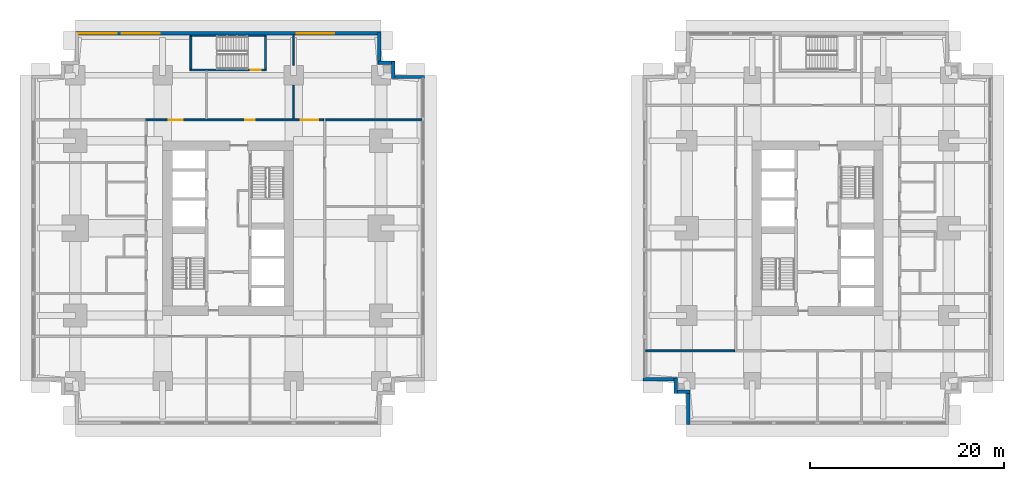
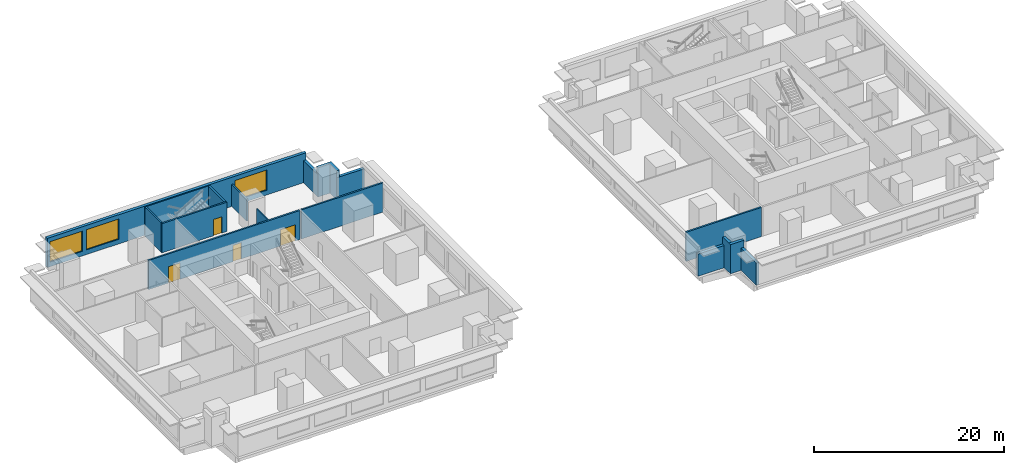
# One storey, part 5 of 11: 18 walls, 4 doors, 3 windows, 7 openings.
"""IFC4 building model written with IfcOpenShell, lengths in metres."""

from ifc_helpers import new_model, si_unit, direction, frame, frame_2d, origin, place, context, subcontext, project, spatial, rectangle, extrude, material, layer, layer_set, type_object, element, fill, save


model = new_model("IFC4")

# Units and contexts
model_context = context("Model", 3, precision=1e-05, world=origin(), true_north=direction((0.0, 1.0)))
body_context = subcontext(model_context, "Body", "Model", "MODEL_VIEW")
ifc_project = project(units=[si_unit("LENGTHUNIT", "METRE"), si_unit("AREAUNIT", "SQUARE_METRE"), si_unit("VOLUMEUNIT", "CUBIC_METRE"), si_unit("PLANEANGLEUNIT", "RADIAN"), si_unit("MASSUNIT", "GRAM", prefix="KILO")], contexts=[model_context])

# Site, building, storey
site_placement = place(None, origin())
site = spatial("IfcSite", under=ifc_project, at=site_placement, CompositionType="ELEMENT")
building_placement = place(site_placement, origin())
building = spatial("IfcBuilding", under=site, at=building_placement, Name="Namib Vertical Campus", CompositionType="ELEMENT")
storey_placement = place(building_placement, frame((0.0, 0.0, 69.0)))
storey = spatial("IfcBuildingStorey", under=building, at=storey_placement, Name="L16", CompositionType="ELEMENT", Elevation=69.0)

# Wall, openings, doors
ifc_material_1 = material(Name="Concrete masonry", Category="masonry")
ifc_layer_1 = layer(ifc_material_1, 0.199951171875)
ifc_layer_set_1 = layer_set([ifc_layer_1], Name="Corridor wall 200")
wall_type_1 = type_object("IfcWallType", Name="Corridor wall 200", PredefinedType="SOLIDWALL", material=ifc_layer_set_1)
wall_1_placement = place(storey_placement, frame((30.10009765625, 31.39990234375, 0.0), z_axis=(0.0, 0.0, 1.0), x_axis=(-1.0, 0.0, 0.0)))
wall_1 = element("IfcWall", 1, at=wall_1_placement, inside=storey, type_object=wall_type_1, Name="Corridor wall A L16 CN", PredefinedType="SOLIDWALL", context=body_context, shape_type="SweptSolid", body=[
    extrude(rectangle(XDim=18.400146484375, YDim=0.199951171875, at=frame_2d((9.2001953125, 0.0))), origin(), (0.0, 0.0, 1.0), 3.75),
])
opening_1_placement = place(wall_1_placement, frame((14.550048828125, 0.0, 0.0)))
opening_1 = element("IfcOpeningElement", 2, at=opening_1_placement, cuts=wall_1, Name="Opening LB1", PredefinedType="OPENING", context=body_context, shape_type="SweptSolid", body=[
    extrude(rectangle(XDim=1.39990234375, YDim=2.10009765625, at=frame_2d((0.699951171875, 1.050048828125))), frame((0.0, 0.10986328125, 0.0), z_axis=(0.0, -1.0, 0.0), x_axis=(1.0, 0.0, 0.0)), (0.0, 0.0, 1.0), 0.219970703125),
])
opening_2_placement = place(wall_1_placement, frame((7.10009765625, 0.0, 0.0)))
opening_2 = element("IfcOpeningElement", 3, at=opening_2_placement, cuts=wall_1, Name="Opening CD4", PredefinedType="OPENING", context=body_context, shape_type="SweptSolid", body=[
    extrude(rectangle(XDim=1.0, YDim=2.10009765625, at=frame_2d((0.5, 1.050048828125))), frame((0.0, 0.10986328125, 0.0), z_axis=(0.0, -1.0, 0.0), x_axis=(1.0, 0.0, 0.0)), (0.0, 0.0, 1.0), 0.219970703125),
])
opening_3_placement = place(wall_1_placement, frame((0.550048828125, 0.0, 0.0)))
opening_3 = element("IfcOpeningElement", 4, at=opening_3_placement, cuts=wall_1, Name="Opening CD2", PredefinedType="OPENING", context=body_context, shape_type="SweptSolid", body=[
    extrude(rectangle(XDim=1.800048828125, YDim=2.10009765625, at=frame_2d((0.89990234375, 1.050048828125))), frame((0.0, 0.10986328125, 0.0), z_axis=(0.0, -1.0, 0.0), x_axis=(1.0, 0.0, 0.0)), (0.0, 0.0, 1.0), 0.219970703125),
])
ifc_material_2 = material(Name="Timber fire door leaf", Category="wood")
door_type_1 = type_object("IfcDoorType", Name="Corridor door 1000x2100 20 min double-acting", OperationType="DOUBLE_SWING_LEFT", PredefinedType="DOOR", material=ifc_material_2)
door_1_placement = place(opening_2_placement, origin())
door_1 = element("IfcDoor", 5, at=door_1_placement, inside=storey, type_object=door_type_1, Name="Door CD4 A16-07", OperationType="DOUBLE_SWING_LEFT", OverallHeight=2.10009765625, OverallWidth=1.0, PredefinedType="DOOR", context=body_context, shape_type="SweptSolid", body=[
    extrude(rectangle(XDim=1.0, YDim=2.10009765625, at=frame_2d((0.5, 1.050048828125))), frame((0.0, 0.02490234375, 0.0), z_axis=(0.0, -1.0, 0.0), x_axis=(1.0, 0.0, 0.0)), (0.0, 0.0, 1.0), 0.050048828125),
])
fill(opening_2, door_1)
ifc_material_3 = material(Name="Timber fire door leaf", Category="wood")
door_type_2 = type_object("IfcDoorType", Name="Corridor door double 1800x2100 20 min", OperationType="DOUBLE_DOOR_SINGLE_SWING", PredefinedType="DOOR", material=ifc_material_3)
door_2_placement = place(opening_3_placement, frame((1.800048828125, 0.0, 0.0), z_axis=(0.0, 0.0, 1.0), x_axis=(-1.0, 0.0, 0.0)))
door_2 = element("IfcDoor", 6, at=door_2_placement, inside=storey, type_object=door_type_2, Name="Door CD2 A16-08", OperationType="DOUBLE_DOOR_SINGLE_SWING", OverallHeight=2.10009765625, OverallWidth=1.800048828125, PredefinedType="DOOR", context=body_context, shape_type="SweptSolid", body=[
    extrude(rectangle(XDim=1.800048828125, YDim=2.10009765625, at=frame_2d((0.89990234375, 1.050048828125))), frame((0.0, 0.02490234375, 0.0), z_axis=(0.0, -1.0, 0.0), x_axis=(1.0, 0.0, 0.0)), (0.0, 0.0, 1.0), 0.050048828125),
])
fill(opening_3, door_2)
ifc_material_4 = material(Name="Timber fire door leaf", Category="wood")
door_type_3 = type_object("IfcDoorType", Name="Laboratory door 1400x2100 leaf and a half", OperationType="DOUBLE_DOOR_SINGLE_SWING", PredefinedType="DOOR", material=ifc_material_4)
door_3_placement = place(opening_1_placement, frame((1.39990234375, 0.0, 0.0), z_axis=(0.0, 0.0, 1.0), x_axis=(-1.0, 0.0, 0.0)))
door_3 = element("IfcDoor", 7, at=door_3_placement, inside=storey, type_object=door_type_3, Name="Door LB1 A16-06", OperationType="DOUBLE_DOOR_SINGLE_SWING", OverallHeight=2.10009765625, OverallWidth=1.39990234375, PredefinedType="DOOR", context=body_context, shape_type="SweptSolid", body=[
    extrude(rectangle(XDim=1.39990234375, YDim=2.10009765625, at=frame_2d((0.699951171875, 1.050048828125))), frame((0.0, 0.02490234375, 0.0), z_axis=(0.0, -1.0, 0.0), x_axis=(1.0, 0.0, 0.0)), (0.0, 0.0, 1.0), 0.050048828125),
])
fill(opening_1, door_3)

# Walls
wall_2_placement = place(storey_placement, frame((30.300048828125, 31.39990234375, 0.0), z_axis=(0.0, 0.0, 1.0), x_axis=(1.0, 0.0, 0.0)))
element("IfcWall", 8, at=wall_2_placement, inside=storey, type_object=wall_type_1, Name="Partition A L16 BNE", PredefinedType="SOLIDWALL", context=body_context, shape_type="SweptSolid", body=[
    extrude(rectangle(XDim=9.89990234375, YDim=0.199951171875, at=frame_2d((4.949951171875, 0.0))), origin(), (0.0, 0.0, 1.0), 3.75),
])
wall_3_placement = place(storey_placement, frame((63.300048828125, 7.60009765625, 0.0), z_axis=(0.0, 0.0, 1.0), x_axis=(1.0, 0.0, 0.0)))
element("IfcWall", 9, at=wall_3_placement, inside=storey, type_object=wall_type_1, Name="Partition B L16 BSW", PredefinedType="SOLIDWALL", context=body_context, shape_type="SweptSolid", body=[
    extrude(rectangle(XDim=9.14990234375, YDim=0.199951171875, at=frame_2d((4.574951171875, 0.0))), origin(), (0.0, 0.0, 1.0), 3.75),
])
ifc_material_5 = material(Name="Concrete C40/50", Category="concrete")
ifc_layer_2 = layer(ifc_material_5, 0.35009765625)
ifc_layer_set_2 = layer_set([ifc_layer_2], Name="Concrete C40/50")
wall_type_2 = type_object("IfcWallType", Name="External wall 350 bush-hammered concrete", PredefinedType="STANDARD", material=ifc_layer_set_2)
wall_4_placement = place(storey_placement, frame((40.47998046875, 35.824951171875, 0.0), z_axis=(0.0, 0.0, 1.0), x_axis=(-1.0, 0.0, 0.0)))
element("IfcWall", 10, at=wall_4_placement, inside=storey, type_object=wall_type_2, Name="External wall L16 F07", PredefinedType="STANDARD", context=body_context, shape_type="SweptSolid", body=[
    extrude(rectangle(XDim=3.35986328125, YDim=0.35009765625, at=frame_2d((1.679931640625, 0.0))), origin(), (0.0, 0.0, 1.0), 2.85009765625),
])
for number, where, z_axis, x_axis, name in (
    (11, (37.27490234375, 35.669921875, 0.0), (0.0, 0.0, 1.0), (0.0, 1.0, 0.0), "External wall L16 F08"),
    (12, (37.429931640625, 37.27490234375, 0.0), (0.0, 0.0, 1.0), (-1.0, 0.0, 0.0), "External wall L16 F09"),
):
    element("IfcWall", number, at=place(storey_placement, frame(where, z_axis=z_axis, x_axis=x_axis)), inside=storey, type_object=wall_type_2, Name=name, PredefinedType="STANDARD", context=body_context, shape_type="SweptSolid", body=[
        extrude(rectangle(XDim=1.760009765625, YDim=0.35009765625, at=frame_2d((0.8798828125, 0.0))), origin(), (0.0, 0.0, 1.0), 3.75),
    ])
wall_5_placement = place(storey_placement, frame((35.824951171875, 37.1201171875, 0.0), z_axis=(0.0, 0.0, 1.0), x_axis=(0.0, 1.0, 0.0)))
element("IfcWall", 13, at=wall_5_placement, inside=storey, type_object=wall_type_2, Name="External wall L16 F10", PredefinedType="STANDARD", context=body_context, shape_type="SweptSolid", body=[
    extrude(rectangle(XDim=3.35986328125, YDim=0.35009765625, at=frame_2d((1.679931640625, 0.0))), origin(), (0.0, 0.0, 1.0), 2.85009765625),
])

# Wall, openings, windows
wall_6_placement = place(storey_placement, frame((35.97998046875, 40.324951171875, 0.0), z_axis=(0.0, 0.0, 1.0), x_axis=(-1.0, 0.0, 0.0)))
wall_6 = element("IfcWall", 14, at=wall_6_placement, inside=storey, type_object=wall_type_2, Name="External wall L16 F11", PredefinedType="STANDARD", context=body_context, shape_type="SweptSolid", body=[
    extrude(rectangle(XDim=31.4599609375, YDim=0.35009765625, at=frame_2d((15.72998046875, 0.0))), origin(), (0.0, 0.0, 1.0), 3.75),
])
opening_4_placement = place(wall_6_placement, frame((27.2099609375, 0.0, 0.60009765625)))
opening_4 = element("IfcOpeningElement", 15, at=opening_4_placement, cuts=wall_6, Name="Opening W2", PredefinedType="OPENING", context=body_context, shape_type="SweptSolid", body=[
    extrude(rectangle(XDim=3.89990234375, YDim=2.60009765625, at=frame_2d((1.949951171875, 1.300048828125))), frame((0.0, 0.18505859375, 0.0), z_axis=(0.0, -1.0, 0.0), x_axis=(1.0, 0.0, 0.0)), (0.0, 0.0, 1.0), 0.3701171875),
])
opening_5_placement = place(wall_6_placement, frame((22.780029296875, 0.0, 0.60009765625)))
opening_5 = element("IfcOpeningElement", 16, at=opening_5_placement, cuts=wall_6, Name="Opening W2", PredefinedType="OPENING", context=body_context, shape_type="SweptSolid", body=[
    extrude(rectangle(XDim=3.89990234375, YDim=2.60009765625, at=frame_2d((1.949951171875, 1.300048828125))), frame((0.0, 0.18505859375, 0.0), z_axis=(0.0, -1.0, 0.0), x_axis=(1.0, 0.0, 0.0)), (0.0, 0.0, 1.0), 0.3701171875),
])
opening_6_placement = place(wall_6_placement, frame((4.780029296875, 0.0, 0.60009765625)))
opening_6 = element("IfcOpeningElement", 17, at=opening_6_placement, cuts=wall_6, Name="Opening W2", PredefinedType="OPENING", context=body_context, shape_type="SweptSolid", body=[
    extrude(rectangle(XDim=3.89990234375, YDim=2.60009765625, at=frame_2d((1.949951171875, 1.300048828125))), frame((0.0, 0.18505859375, 0.0), z_axis=(0.0, -1.0, 0.0), x_axis=(1.0, 0.0, 0.0)), (0.0, 0.0, 1.0), 0.3701171875),
])
ifc_material_6 = material(Name="Dark tinted glass in black aluminium frame", Category="aluminium")
window_type = type_object("IfcWindowType", Name="Ribbon window 3900x2600", PartitioningType="SINGLE_PANEL", PredefinedType="WINDOW", material=ifc_material_6)
window_1_placement = place(opening_4_placement, origin())
window_1 = element("IfcWindow", 18, at=window_1_placement, inside=storey, type_object=window_type, Name="Window W2 L16 F11-1", OverallHeight=2.60009765625, OverallWidth=3.89990234375, PartitioningType="SINGLE_PANEL", PredefinedType="WINDOW", context=body_context, shape_type="SweptSolid", body=[
    extrude(rectangle(XDim=3.89990234375, YDim=2.60009765625, at=frame_2d((1.949951171875, 1.300048828125))), frame((0.0, 0.030029296875, 0.0), z_axis=(0.0, -1.0, 0.0), x_axis=(1.0, 0.0, 0.0)), (0.0, 0.0, 1.0), 0.06005859375),
])
fill(opening_4, window_1)
window_2_placement = place(opening_5_placement, origin())
window_2 = element("IfcWindow", 19, at=window_2_placement, inside=storey, type_object=window_type, Name="Window W2 L16 F11-2", OverallHeight=2.60009765625, OverallWidth=3.89990234375, PartitioningType="SINGLE_PANEL", PredefinedType="WINDOW", context=body_context, shape_type="SweptSolid", body=[
    extrude(rectangle(XDim=3.89990234375, YDim=2.60009765625, at=frame_2d((1.949951171875, 1.300048828125))), frame((0.0, 0.030029296875, 0.0), z_axis=(0.0, -1.0, 0.0), x_axis=(1.0, 0.0, 0.0)), (0.0, 0.0, 1.0), 0.06005859375),
])
fill(opening_5, window_2)
window_3_placement = place(opening_6_placement, origin())
window_3 = element("IfcWindow", 20, at=window_3_placement, inside=storey, type_object=window_type, Name="Window W2 L16 F11-6", OverallHeight=2.60009765625, OverallWidth=3.89990234375, PartitioningType="SINGLE_PANEL", PredefinedType="WINDOW", context=body_context, shape_type="SweptSolid", body=[
    extrude(rectangle(XDim=3.89990234375, YDim=2.60009765625, at=frame_2d((1.949951171875, 1.300048828125))), frame((0.0, 0.030029296875, 0.0), z_axis=(0.0, -1.0, 0.0), x_axis=(1.0, 0.0, 0.0)), (0.0, 0.0, 1.0), 0.06005859375),
])
fill(opening_6, window_3)

# Walls
wall_7_placement = place(storey_placement, frame((63.02001953125, 4.675048828125, 0.0), z_axis=(0.0, 0.0, 1.0), x_axis=(1.0, 0.0, 0.0)))
element("IfcWall", 21, at=wall_7_placement, inside=storey, type_object=wall_type_2, Name="External wall L16 F17", PredefinedType="STANDARD", context=body_context, shape_type="SweptSolid", body=[
    extrude(rectangle(XDim=3.510009765625, YDim=0.35009765625, at=frame_2d((1.7548828125, 0.0))), origin(), (0.0, 0.0, 1.0), 2.85009765625),
])
for number, where, z_axis, x_axis, name in (
    (22, (66.375, 4.830078125, 0.0), (0.0, 0.0, 1.0), (0.0, -1.0, 0.0), "External wall L16 F18"),
    (23, (66.219970703125, 3.375, 0.0), (0.0, 0.0, 1.0), (1.0, 0.0, 0.0), "External wall L16 F19"),
):
    element("IfcWall", number, at=place(storey_placement, frame(where, z_axis=z_axis, x_axis=x_axis)), inside=storey, type_object=wall_type_2, Name=name, PredefinedType="STANDARD", context=body_context, shape_type="SweptSolid", body=[
        extrude(rectangle(XDim=1.610107421875, YDim=0.35009765625, at=frame_2d((0.80517578125, 0.0))), origin(), (0.0, 0.0, 1.0), 3.75),
    ])
wall_8_placement = place(storey_placement, frame((67.675048828125, 3.530029296875, 0.0), z_axis=(0.0, 0.0, 1.0), x_axis=(0.0, -1.0, 0.0)))
element("IfcWall", 24, at=wall_8_placement, inside=storey, type_object=wall_type_2, Name="External wall L16 F20", PredefinedType="STANDARD", context=body_context, shape_type="SweptSolid", body=[
    extrude(rectangle(XDim=3.510009765625, YDim=0.35009765625, at=frame_2d((1.7548828125, 0.0))), origin(), (0.0, 0.0, 1.0), 2.85009765625),
])
ifc_material_7 = material(Name="Gypsum board on steel studs", Category="steel")
ifc_layer_3 = layer(ifc_material_7, 0.14990234375)
ifc_layer_set_3 = layer_set([ifc_layer_3], Name="Gypsum board on steel studs")
wall_type_3 = type_object("IfcWallType", Name="Partition 150", PredefinedType="PARTITIONING", material=ifc_layer_set_3)
wall_9_placement = place(storey_placement, frame((27.0, 31.5, 0.0), z_axis=(0.0, 0.0, 1.0), x_axis=(0.0, 1.0, 0.0)))
element("IfcWall", 25, at=wall_9_placement, inside=storey, type_object=wall_type_3, Name="Partition A L16 PN2", PredefinedType="PARTITIONING", context=body_context, shape_type="SweptSolid", body=[
    extrude(rectangle(XDim=3.47998046875, YDim=0.14990234375, at=frame_2d((1.739990234375, 0.0))), origin(), (0.0, 0.0, 1.0), 2.85009765625),
])
wall_10_placement = place(storey_placement, frame((27.0, 37.02001953125, 0.0), z_axis=(0.0, 0.0, 1.0), x_axis=(0.0, 1.0, 0.0)))
element("IfcWall", 26, at=wall_10_placement, inside=storey, type_object=wall_type_3, Name="Partition A L16 PN2", PredefinedType="PARTITIONING", context=body_context, shape_type="SweptSolid", body=[
    extrude(rectangle(XDim=3.179931640625, YDim=0.14990234375, at=frame_2d((1.58984375, 0.0))), origin(), (0.0, 0.0, 1.0), 2.85009765625),
])
ifc_material_8 = material(Name="Concrete C40/50", Category="concrete")
ifc_layer_4 = layer(ifc_material_8, 0.14990234375)
ifc_layer_set_4 = layer_set([ifc_layer_4], Name="Concrete C40/50")
wall_type_4 = type_object("IfcWallType", Name="Stair enclosure wall RC 150", PredefinedType="SOLIDWALL", material=ifc_layer_set_4)
wall_11_placement = place(storey_placement, frame((16.300048828125, 40.074951171875, 0.0), z_axis=(0.0, 0.0, 1.0), x_axis=(1.0, 0.0, 0.0)))
element("IfcWall", 27, at=wall_11_placement, inside=storey, type_object=wall_type_4, Name="Stair enclosure wall A-S3 L16 N", PredefinedType="SOLIDWALL", context=body_context, shape_type="SweptSolid", body=[
    extrude(rectangle(XDim=7.89990234375, YDim=0.14990234375, at=frame_2d((3.949951171875, 0.0))), origin(), (0.0, 0.0, 1.0), 3.75),
])

# Wall, opening, door
ifc_material_9 = material(Name="Concrete C40/50", Category="concrete")
ifc_layer_5 = layer(ifc_material_9, 0.199951171875)
ifc_layer_set_5 = layer_set([ifc_layer_5], Name="Concrete C40/50")
wall_type_5 = type_object("IfcWallType", Name="Stair enclosure wall RC 200", PredefinedType="SOLIDWALL", material=ifc_layer_set_5)
wall_12_placement = place(storey_placement, frame((16.300048828125, 36.550048828125, 0.0), z_axis=(0.0, 0.0, 1.0), x_axis=(1.0, 0.0, 0.0)))
wall_12 = element("IfcWall", 28, at=wall_12_placement, inside=storey, type_object=wall_type_5, Name="Stair enclosure wall A-S3 L16 S", PredefinedType="SOLIDWALL", context=body_context, shape_type="SweptSolid", body=[
    extrude(rectangle(XDim=7.89990234375, YDim=0.199951171875, at=frame_2d((3.949951171875, 0.0))), origin(), (0.0, 0.0, 1.0), 3.75),
])
opening_7_placement = place(wall_12_placement, frame((6.300048828125, 0.0, 0.0)))
opening_7 = element("IfcOpeningElement", 29, at=opening_7_placement, cuts=wall_12, Name="Opening FD1", PredefinedType="OPENING", context=body_context, shape_type="SweptSolid", body=[
    extrude(rectangle(XDim=1.0, YDim=2.10009765625, at=frame_2d((0.5, 1.050048828125))), frame((0.0, 0.10986328125, 0.0), z_axis=(0.0, -1.0, 0.0), x_axis=(1.0, 0.0, 0.0)), (0.0, 0.0, 1.0), 0.219970703125),
])
ifc_material_10 = material(Name="Steel fire door", Category="steel")
door_type_4 = type_object("IfcDoorType", Name="Fire door 1000x2100", OperationType="SINGLE_SWING_RIGHT", PredefinedType="DOOR", material=ifc_material_10)
door_4_placement = place(opening_7_placement, origin())
door_4 = element("IfcDoor", 30, at=door_4_placement, inside=storey, type_object=door_type_4, Name="Stair door FD1 A L16 S3", OperationType="SINGLE_SWING_RIGHT", OverallHeight=2.10009765625, OverallWidth=1.0, PredefinedType="DOOR", context=body_context, shape_type="SweptSolid", body=[
    extrude(rectangle(XDim=1.0, YDim=2.10009765625, at=frame_2d((0.5, 1.050048828125))), frame((0.0, 0.02490234375, 0.0), z_axis=(0.0, -1.0, 0.0), x_axis=(1.0, 0.0, 0.0)), (0.0, 0.0, 1.0), 0.050048828125),
])
fill(opening_7, door_4)

# Walls
for number, where, z_axis, x_axis, name in (
    (31, (16.39990234375, 36.64990234375, 0.0), (0.0, 0.0, 1.0), (0.0, 1.0, 0.0), "Stair enclosure wall A-S3 L16 W"),
    (32, (24.10009765625, 36.64990234375, 0.0), (0.0, 0.0, 1.0), (0.0, 1.0, 0.0), "Stair enclosure wall A-S3 L16 E"),
):
    element("IfcWall", number, at=place(storey_placement, frame(where, z_axis=z_axis, x_axis=x_axis)), inside=storey, type_object=wall_type_5, Name=name, PredefinedType="SOLIDWALL", context=body_context, shape_type="SweptSolid", body=[
        extrude(rectangle(XDim=3.35009765625, YDim=0.199951171875, at=frame_2d((1.675048828125, 0.0))), origin(), (0.0, 0.0, 1.0), 3.75),
    ])

save(model, "model.ifc")
